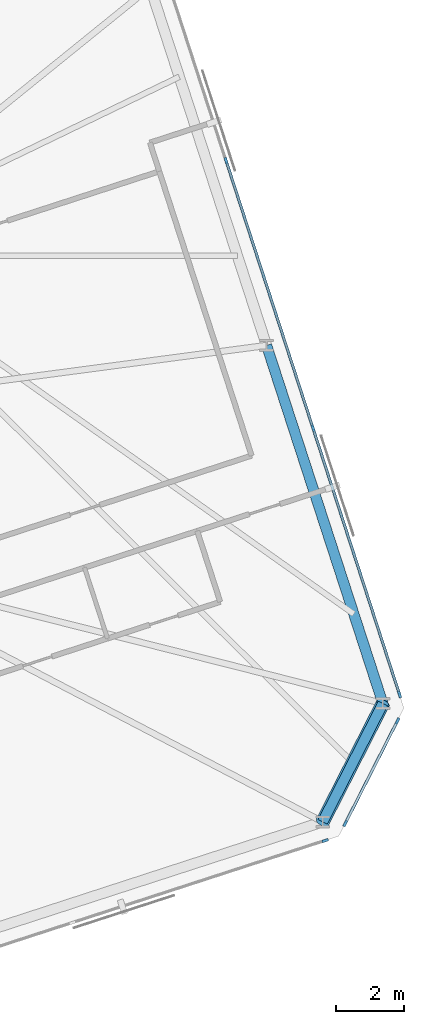
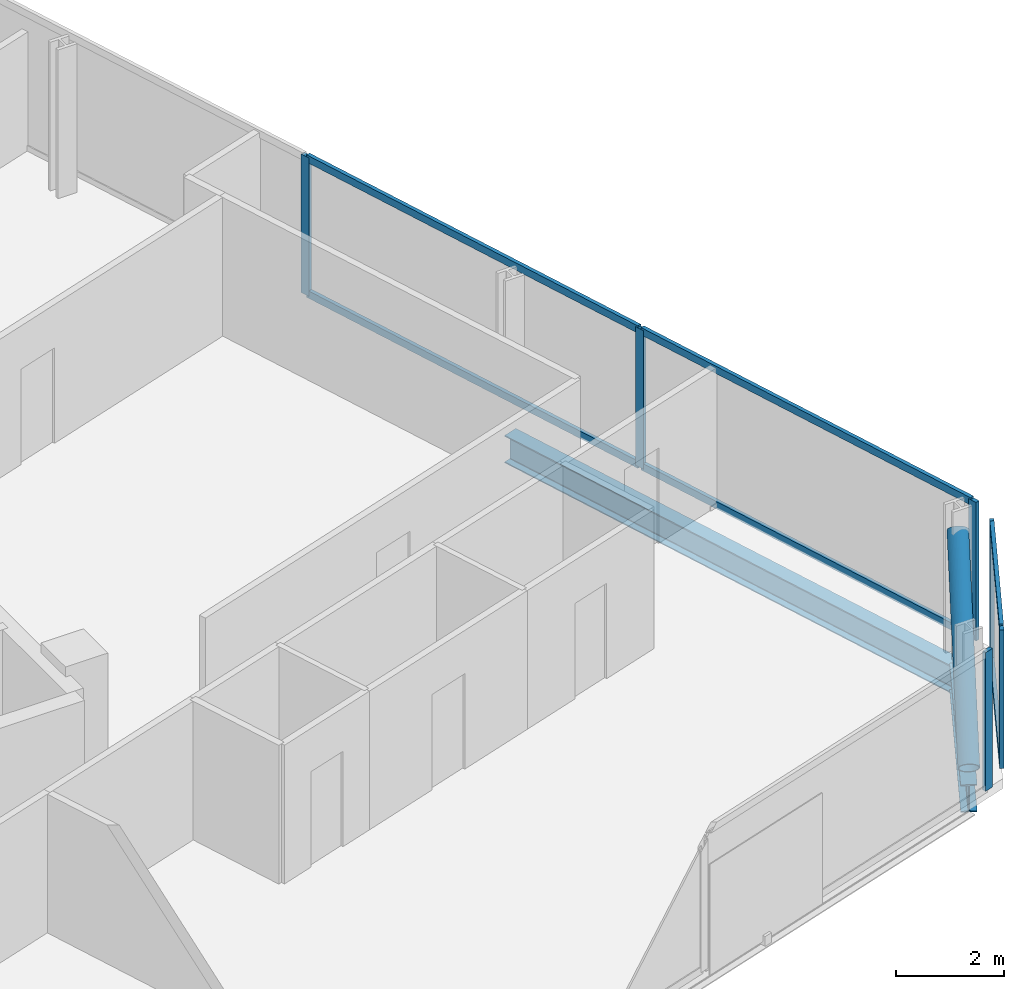
# One storey, part 11 of 20: 13 members, 2 beams, 3 elements without a shape of their own.
"""IFC4 building model written with IfcOpenShell, lengths in metres."""

from ifc_helpers import new_model, si_unit, direction, frame, origin, origin_2d, place, context, subcontext, project, spatial, rectangle, hollow_circle, i_section, extrude, material, material_profile, profile_set, type_object, element, aggregate, save


model = new_model("IFC4")

# Units and contexts
model_context = context("Model", 3, precision=1e-05, world=origin(), true_north=direction((0.0, 1.0)))
body_context = subcontext(model_context, "Body", "Model", "MODEL_VIEW")
ifc_project = project(units=[si_unit("LENGTHUNIT", "METRE"), si_unit("AREAUNIT", "SQUARE_METRE"), si_unit("VOLUMEUNIT", "CUBIC_METRE"), si_unit("PLANEANGLEUNIT", "RADIAN"), si_unit("MASSUNIT", "GRAM", prefix="KILO")], contexts=[model_context])

# Site, building, storey
site_placement = place(None, origin())
site = spatial("IfcSite", under=ifc_project, at=site_placement, CompositionType="ELEMENT")
building_placement = place(site_placement, origin())
building = spatial("IfcBuilding", under=site, at=building_placement, Name="Menara Jurai Vektor", CompositionType="ELEMENT")
storey_placement = place(building_placement, frame((0.0, 0.0, 237.699951171875)))
storey = spatial("IfcBuildingStorey", under=building, at=storey_placement, Name="L63", CompositionType="ELEMENT", Elevation=237.699951171875)

# Curtain wall, member
ifc_material_1 = material(Name="Anodised Pale Aluminium & Low-E Double Glazing", Category="aluminium")
curtain_wall_type = type_object("IfcCurtainWallType", Name="CW-BLK4", PredefinedType="NOTDEFINED", material=ifc_material_1)
curtain_wall_1_placement = place(storey_placement, origin())
curtain_wall_1 = element("IfcCurtainWall", 1, at=curtain_wall_1_placement, inside=storey, type_object=curtain_wall_type, Name="Unitised Curtain Wall L63 F01", PredefinedType="NOTDEFINED")
ifc_material_2 = material(Name="Anodised Pale Aluminium Mullion", Category="aluminium")
ifc_material_profile_1 = material_profile(ifc_material_2, rectangle(XDim=0.080078125, YDim=0.18994140625, at=origin_2d()), Name="ALU MUL 80x190")
ifc_profile_set_1 = profile_set([ifc_material_profile_1], Name="Anodised Pale Aluminium Mullion")
member_type_1 = type_object("IfcMemberType", Name="CW-BLK4-MUL", PredefinedType="MULLION", material=ifc_profile_set_1)
member_1_placement = place(storey_placement, frame((29.810546875, -12.698486328125, 0.0), z_axis=(0.0, 0.0, 1.0), x_axis=(-0.309017344167, 0.951056402641, 0.0)))
member_1 = element("IfcMember", 2, at=member_1_placement, type_object=member_type_1, Name="CW-04 mullion 8", PredefinedType="MULLION", context=body_context, shape_type="SweptSolid", body=[
    extrude(rectangle(XDim=0.080078125, YDim=0.18994140625, at=origin_2d()), origin(), (0.0, 0.0, 1.0), 3.125),
])
aggregate(curtain_wall_1, [member_1])

# Curtain wall, members
curtain_wall_2_placement = place(storey_placement, origin())
curtain_wall_2 = element("IfcCurtainWall", 3, at=curtain_wall_2_placement, inside=storey, type_object=curtain_wall_type, Name="Unitised Curtain Wall L63 F02", PredefinedType="NOTDEFINED")
member_2_placement = place(storey_placement, frame((30.400634765625, -12.194580078125, 0.0), z_axis=(0.0, 0.0, 1.0), x_axis=(-0.89100750243, 0.453988579828, 0.0)))
member_2 = element("IfcMember", 4, at=member_2_placement, type_object=member_type_1, Name="CW-04 mullion 1", PredefinedType="MULLION", context=body_context, shape_type="SweptSolid", body=[
    extrude(rectangle(XDim=0.080078125, YDim=0.18994140625, at=origin_2d()), origin(), (0.0, 0.0, 1.0), 3.125),
])
member_3_placement = place(storey_placement, frame((31.9453125, -9.16259765625, 0.0), z_axis=(0.0, 0.0, 1.0), x_axis=(-0.89100750243, 0.453988579828, 0.0)))
member_3 = element("IfcMember", 5, at=member_3_placement, type_object=member_type_1, Name="CW-04 mullion 2", PredefinedType="MULLION", context=body_context, shape_type="SweptSolid", body=[
    extrude(rectangle(XDim=0.080078125, YDim=0.18994140625, at=origin_2d()), origin(), (0.0, 0.0, 1.0), 3.125),
])

curtain_wall_3_placement = place(storey_placement, origin())
curtain_wall_3 = element("IfcCurtainWall", 6, at=curtain_wall_3_placement, inside=storey, type_object=curtain_wall_type, Name="Unitised Curtain Wall L63 F03", PredefinedType="NOTDEFINED")
member_4_placement = place(storey_placement, frame((32.00634765625, -8.388916015625, 0.0), z_axis=(0.0, 0.0, 1.0), x_axis=(-0.95105668295, -0.309016481464, 0.0)))
member_4 = element("IfcMember", 7, at=member_4_placement, type_object=member_type_1, Name="CW-04 mullion 1", PredefinedType="MULLION", context=body_context, shape_type="SweptSolid", body=[
    extrude(rectangle(XDim=0.080078125, YDim=0.18994140625, at=origin_2d()), origin(), (0.0, 0.0, 1.0), 3.125),
])
member_5_placement = place(storey_placement, frame((29.45068359375, -0.523681640625, 0.0), z_axis=(0.0, 0.0, 1.0), x_axis=(-0.95105668295, -0.309016481464, 0.0)))
member_5 = element("IfcMember", 8, at=member_5_placement, type_object=member_type_1, Name="CW-04 mullion 2", PredefinedType="MULLION", context=body_context, shape_type="SweptSolid", body=[
    extrude(rectangle(XDim=0.080078125, YDim=0.18994140625, at=origin_2d()), origin(), (0.0, 0.0, 1.0), 3.125),
])
member_6_placement = place(storey_placement, frame((26.8828125, 7.379638671875, 0.0), z_axis=(0.0, 0.0, 1.0), x_axis=(-0.95105668295, -0.309016481464, 0.0)))
member_6 = element("IfcMember", 9, at=member_6_placement, type_object=member_type_1, Name="CW-04 mullion 3", PredefinedType="MULLION", context=body_context, shape_type="SweptSolid", body=[
    extrude(rectangle(XDim=0.080078125, YDim=0.18994140625, at=origin_2d()), origin(), (0.0, 0.0, 1.0), 3.125),
])

# Member
ifc_material_3 = material(Name="Anodised Pale Aluminium Transom", Category="aluminium")
ifc_material_profile_2 = material_profile(ifc_material_3, rectangle(XDim=0.080078125, YDim=0.1650390625, at=origin_2d()), Name="ALU TRN 80x165")
ifc_profile_set_2 = profile_set([ifc_material_profile_2], Name="Anodised Pale Aluminium Transom")
member_type_2 = type_object("IfcMemberType", Name="CW-BLK4-TRN", PredefinedType="USERDEFINED", material=ifc_profile_set_2)
member_7_placement = place(storey_placement, frame((30.418701171875, -12.158935546875, 0.0400390625), z_axis=(0.453989617444, 0.89100697374, 0.0), x_axis=(-0.89100697374, 0.453989617444, 0.0)))
member_7 = element("IfcMember", 10, at=member_7_placement, type_object=member_type_2, Name="CW-04 transom 1.1", ObjectType="TRANSOM", PredefinedType="USERDEFINED", context=body_context, shape_type="SweptSolid", body=[
    extrude(rectangle(XDim=0.080078125, YDim=0.1650390625, at=origin_2d()), origin(), (0.0, 0.0, 1.0), 3.32275390625),
])

member_8_placement = place(storey_placement, frame((30.418701171875, -12.158935546875, 3.0849609375), z_axis=(0.453989617444, 0.89100697374, 0.0), x_axis=(-0.89100697374, 0.453989617444, 0.0)))
member_8 = element("IfcMember", 11, at=member_8_placement, type_object=member_type_2, Name="CW-04 transom 1.2", ObjectType="TRANSOM", PredefinedType="USERDEFINED", context=body_context, shape_type="SweptSolid", body=[
    extrude(rectangle(XDim=0.080078125, YDim=0.1650390625, at=origin_2d()), origin(), (0.0, 0.0, 1.0), 3.32275390625),
])

aggregate(curtain_wall_2, [member_2, member_3, member_7, member_8])

member_9_placement = place(storey_placement, frame((31.993896484375, -8.350830078125, 0.0400390625), z_axis=(-0.309010577384, 0.951058601278, 0.0), x_axis=(-0.951058601278, -0.309010577384, 0.0)))
member_9 = element("IfcMember", 12, at=member_9_placement, type_object=member_type_2, Name="CW-04 transom 1.1", ObjectType="TRANSOM", PredefinedType="USERDEFINED", context=body_context, shape_type="SweptSolid", body=[
    extrude(rectangle(XDim=0.080078125, YDim=0.1650390625, at=origin_2d()), origin(), (0.0, 0.0, 1.0), 8.18994140625),
])

member_10_placement = place(storey_placement, frame((31.993896484375, -8.350830078125, 3.0849609375), z_axis=(-0.309010577384, 0.951058601278, 0.0), x_axis=(-0.951058601278, -0.309010577384, 0.0)))
member_10 = element("IfcMember", 13, at=member_10_placement, type_object=member_type_2, Name="CW-04 transom 1.2", ObjectType="TRANSOM", PredefinedType="USERDEFINED", context=body_context, shape_type="SweptSolid", body=[
    extrude(rectangle(XDim=0.080078125, YDim=0.1650390625, at=origin_2d()), origin(), (0.0, 0.0, 1.0), 8.18994140625),
])

member_11_placement = place(storey_placement, frame((29.438232421875, -0.485595703125, 0.0400390625), z_axis=(-0.309018994408, 0.951055866443, 0.0), x_axis=(-0.951055866443, -0.309018994408, 0.0)))
member_11 = element("IfcMember", 14, at=member_11_placement, type_object=member_type_2, Name="CW-04 transom 2.1", ObjectType="TRANSOM", PredefinedType="USERDEFINED", context=body_context, shape_type="SweptSolid", body=[
    extrude(rectangle(XDim=0.080078125, YDim=0.1650390625, at=origin_2d()), origin(), (0.0, 0.0, 1.0), 8.22998046875),
])

member_12_placement = place(storey_placement, frame((29.438232421875, -0.485595703125, 3.0849609375), z_axis=(-0.309018994408, 0.951055866443, 0.0), x_axis=(-0.951055866443, -0.309018994408, 0.0)))
member_12 = element("IfcMember", 15, at=member_12_placement, type_object=member_type_2, Name="CW-04 transom 2.2", ObjectType="TRANSOM", PredefinedType="USERDEFINED", context=body_context, shape_type="SweptSolid", body=[
    extrude(rectangle(XDim=0.080078125, YDim=0.1650390625, at=origin_2d()), origin(), (0.0, 0.0, 1.0), 8.22998046875),
])

aggregate(curtain_wall_3, [member_4, member_5, member_6, member_9, member_10, member_11, member_12])

ifc_material_4 = material(Name="Steel S460", Category="steel")
ifc_material_profile_3 = material_profile(ifc_material_4, hollow_circle(Radius=0.203125, WallThickness=0.01611328125, at=origin_2d()), Name="CHS 406.4x16")
ifc_profile_set_3 = profile_set([ifc_material_profile_3], Name="Steel S460")
member_type_3 = type_object("IfcMemberType", Name="STR-BR-406", PredefinedType="BRACE", material=ifc_profile_set_3)
member_13_placement = place(storey_placement, frame((29.733642578125, -12.14501953125, 0.150146484375), z_axis=(0.377239531316, 0.740351985533, 0.55638949804), x_axis=(-0.891000997215, 0.454001346872, 0.0)))
element("IfcMember", 16, at=member_13_placement, inside=storey, type_object=member_type_3, Name="Exoskeleton Corner Brace L63-1", PredefinedType="BRACE", context=body_context, shape_type="SweptSolid", body=[
    extrude(hollow_circle(Radius=0.203125, WallThickness=0.01611328125, at=origin_2d()), origin(), (0.0, 0.0, 1.0), 4.718017578125),
])

# Beams
ifc_material_5 = material(Name="Steel S355", Category="steel")
ifc_material_profile_4 = material_profile(ifc_material_5, i_section(OverallWidth=0.306884765625, OverallDepth=0.6201171875, WebThickness=0.013916015625, FlangeThickness=0.02392578125, FilletRadius=0.01708984375, at=origin_2d()), Name="UKB 610x305x179")
ifc_profile_set_4 = profile_set([ifc_material_profile_4], Name="Steel S355")
beam_type = type_object("IfcBeamType", Name="STR-SP-610", PredefinedType="SPANDREL", material=ifc_profile_set_4)
beam_1_placement = place(storey_placement, frame((29.7333984375, -12.14501953125, -0.534912109375), z_axis=(0.454050785633, 0.890975804423, 0.0), x_axis=(-0.890975804423, 0.454050785633, 0.0)))
element("IfcBeam", 17, at=beam_1_placement, inside=storey, type_object=beam_type, Name="Exoskeleton Spandrel Beam L63-06", PredefinedType="SPANDREL", context=body_context, shape_type="SweptSolid", body=[
    extrude(i_section(OverallWidth=0.306884765625, OverallDepth=0.6201171875, WebThickness=0.013916015625, FlangeThickness=0.02392578125, FilletRadius=0.01708984375, at=origin_2d()), origin(), (0.0, 0.0, 1.0), 3.92041015625),
])
beam_2_placement = place(storey_placement, frame((31.513427734375, -8.652099609375, -0.534912109375), z_axis=(-0.309012092614, 0.95105810896, 0.0), x_axis=(-0.95105810896, -0.309012092614, 0.0)))
element("IfcBeam", 18, at=beam_2_placement, inside=storey, type_object=beam_type, Name="Exoskeleton Spandrel Beam L63-07", PredefinedType="SPANDREL", context=body_context, shape_type="SweptSolid", body=[
    extrude(i_section(OverallWidth=0.306884765625, OverallDepth=0.6201171875, WebThickness=0.013916015625, FlangeThickness=0.02392578125, FilletRadius=0.01708984375, at=origin_2d()), origin(), (0.0, 0.0, 1.0), 11.11865234375),
])

save(model, "model.ifc")
